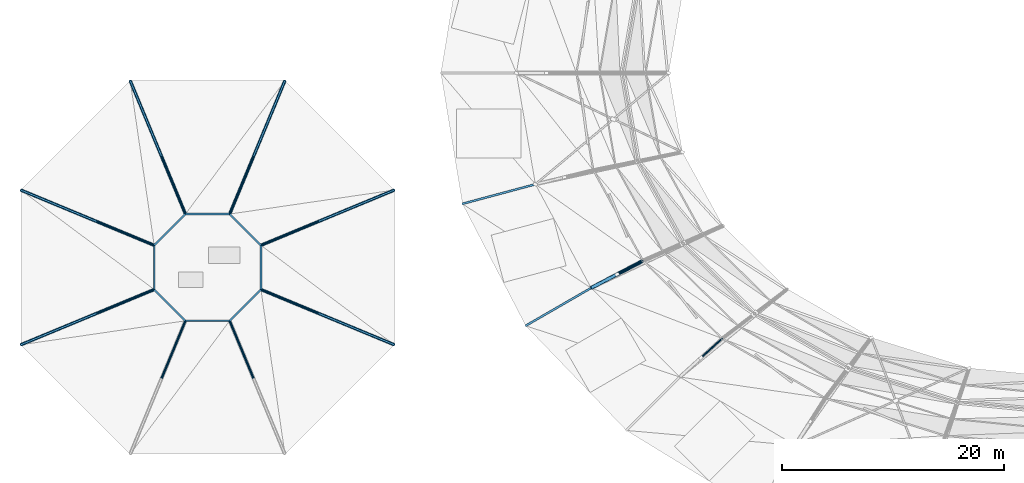
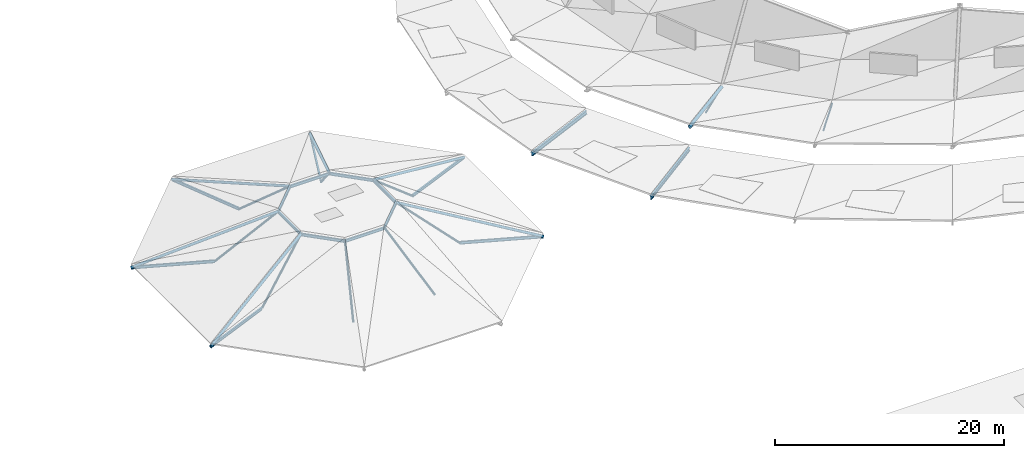
# One storey, part 5 of 36: 17 members, 16 beams.
"""IFC4 building model written with IfcOpenShell, lengths in metres."""

from ifc_helpers import new_model, si_unit, direction, frame, origin, origin_2d, place, context, subcontext, project, spatial, hollow_circle, i_section, extrude, material, material_profile, profile_set, type_object, element, save


model = new_model("IFC4")

# Units and contexts
model_context = context("Model", 3, precision=1e-05, world=origin(), true_north=direction((0.0, 1.0)))
body_context = subcontext(model_context, "Body", "Model", "MODEL_VIEW")
ifc_project = project(units=[si_unit("LENGTHUNIT", "METRE"), si_unit("AREAUNIT", "SQUARE_METRE"), si_unit("VOLUMEUNIT", "CUBIC_METRE"), si_unit("PLANEANGLEUNIT", "RADIAN"), si_unit("MASSUNIT", "GRAM", prefix="KILO")], contexts=[model_context])

# Site, building, storey
site_placement = place(None, origin())
site = spatial("IfcSite", under=ifc_project, at=site_placement, CompositionType="ELEMENT")
building_placement = place(site_placement, origin())
building = spatial("IfcBuilding", under=site, at=building_placement, Name="Kildeholm Park Wholesale Market", CompositionType="ELEMENT")
storey_placement = place(building_placement, frame((0.0, 0.0, 17.39990234375)))
storey = spatial("IfcBuildingStorey", under=building, at=storey_placement, Name="Roof", CompositionType="ELEMENT", Elevation=17.39990234375)

# Beams
ifc_material = material(Name="Steel S355", Category="steel")
ifc_material_profile_1 = material_profile(ifc_material, i_section(OverallWidth=0.14990234375, OverallDepth=0.300048828125, WebThickness=0.007080078125, FlangeThickness=0.0107421875, FilletRadius=0.014892578125, at=origin_2d()), Name="IPE 300")
ifc_profile_set_1 = profile_set([ifc_material_profile_1], Name="Steel S355")
beam_type_1 = type_object("IfcBeamType", Name="Beam B-C01 IPE 300", PredefinedType="BEAM", material=ifc_profile_set_1)
beam_1_placement = place(storey_placement, frame((25.803955078125, 73.989990234375, -2.19091796875), z_axis=(-0.707106781187, 0.707106781187, 0.0), x_axis=(-0.707106781187, -0.707106781187, 0.0)))
element("IfcBeam", 1, at=beam_1_placement, inside=storey, type_object=beam_type_1, Name="Beam BM-V3-LAN-00 BM-0481", PredefinedType="BEAM", context=body_context, shape_type="SweptSolid", body=[
    extrude(i_section(OverallWidth=0.14990234375, OverallDepth=0.300048828125, WebThickness=0.007080078125, FlangeThickness=0.0107421875, FilletRadius=0.014892578125, at=origin_2d()), origin(), (0.0, 0.0, 1.0), 3.9794921875),
])
beam_2_placement = place(storey_placement, frame((37.81494140625, 78.965087890625, -6.9599609375), z_axis=(-0.923875293758, -0.382693665462, 0.0), x_axis=(0.382693665462, -0.923875293758, 0.0)))
element("IfcBeam", 2, at=beam_2_placement, inside=storey, type_object=beam_type_1, Name="Beam BM-V3-TIE-00 BM-0482", PredefinedType="BEAM", context=body_context, shape_type="SweptSolid", body=[
    extrude(i_section(OverallWidth=0.14990234375, OverallDepth=0.300048828125, WebThickness=0.007080078125, FlangeThickness=0.0107421875, FilletRadius=0.014892578125, at=origin_2d()), origin(), (0.0, 0.0, 1.0), 7.400146484375),
])
beam_3_placement = place(storey_placement, frame((22.989990234375, 76.803955078125, -2.19091796875), z_axis=(-1.0, 0.0, 0.0), x_axis=(0.0, -1.0, 0.0)))
element("IfcBeam", 3, at=beam_3_placement, inside=storey, type_object=beam_type_1, Name="Beam BM-V3-LAN-01 BM-0485", PredefinedType="BEAM", context=body_context, shape_type="SweptSolid", body=[
    extrude(i_section(OverallWidth=0.14990234375, OverallDepth=0.300048828125, WebThickness=0.007080078125, FlangeThickness=0.0107421875, FilletRadius=0.014892578125, at=origin_2d()), origin(), (0.0, 0.0, 1.0), 3.97998046875),
])
beam_4_placement = place(storey_placement, frame((27.965087890625, 88.81494140625, -6.9599609375), z_axis=(-0.382693665462, -0.923875293758, 0.0), x_axis=(0.923875293758, -0.382693665462, 0.0)))
element("IfcBeam", 4, at=beam_4_placement, inside=storey, type_object=beam_type_1, Name="Beam BM-V3-TIE-01 BM-0486", PredefinedType="BEAM", context=body_context, shape_type="SweptSolid", body=[
    extrude(i_section(OverallWidth=0.14990234375, OverallDepth=0.300048828125, WebThickness=0.007080078125, FlangeThickness=0.0107421875, FilletRadius=0.014892578125, at=origin_2d()), origin(), (0.0, 0.0, 1.0), 7.400146484375),
])
beam_5_placement = place(storey_placement, frame((19.010009765625, 76.803955078125, -2.19091796875), z_axis=(-0.707106781187, -0.707106781187, 0.0), x_axis=(0.707106781187, -0.707106781187, 0.0)))
element("IfcBeam", 5, at=beam_5_placement, inside=storey, type_object=beam_type_1, Name="Beam BM-V3-LAN-02 BM-0491", PredefinedType="BEAM", context=body_context, shape_type="SweptSolid", body=[
    extrude(i_section(OverallWidth=0.14990234375, OverallDepth=0.300048828125, WebThickness=0.007080078125, FlangeThickness=0.0107421875, FilletRadius=0.014892578125, at=origin_2d()), origin(), (0.0, 0.0, 1.0), 3.9794921875),
])
beam_6_placement = place(storey_placement, frame((14.034912109375, 88.81494140625, -6.9599609375), z_axis=(0.382693665462, -0.923875293758, 0.0), x_axis=(0.923875293758, 0.382693665462, 0.0)))
element("IfcBeam", 6, at=beam_6_placement, inside=storey, type_object=beam_type_1, Name="Beam BM-V3-TIE-02 BM-0492", PredefinedType="BEAM", context=body_context, shape_type="SweptSolid", body=[
    extrude(i_section(OverallWidth=0.14990234375, OverallDepth=0.300048828125, WebThickness=0.007080078125, FlangeThickness=0.0107421875, FilletRadius=0.014892578125, at=origin_2d()), origin(), (0.0, 0.0, 1.0), 7.400146484375),
])
beam_7_placement = place(storey_placement, frame((16.196044921875, 73.989990234375, -2.19091796875), z_axis=(0.0, -1.0, 0.0), x_axis=(1.0, 0.0, 0.0)))
element("IfcBeam", 7, at=beam_7_placement, inside=storey, type_object=beam_type_1, Name="Beam BM-V3-LAN-03 BM-0497", PredefinedType="BEAM", context=body_context, shape_type="SweptSolid", body=[
    extrude(i_section(OverallWidth=0.14990234375, OverallDepth=0.300048828125, WebThickness=0.007080078125, FlangeThickness=0.0107421875, FilletRadius=0.014892578125, at=origin_2d()), origin(), (0.0, 0.0, 1.0), 3.97998046875),
])
beam_8_placement = place(storey_placement, frame((4.18505859375, 78.965087890625, -6.9599609375), z_axis=(0.923875293758, -0.382693665462, 0.0), x_axis=(0.382693665462, 0.923875293758, 0.0)))
element("IfcBeam", 8, at=beam_8_placement, inside=storey, type_object=beam_type_1, Name="Beam BM-V3-TIE-03 BM-0498", PredefinedType="BEAM", context=body_context, shape_type="SweptSolid", body=[
    extrude(i_section(OverallWidth=0.14990234375, OverallDepth=0.300048828125, WebThickness=0.007080078125, FlangeThickness=0.0107421875, FilletRadius=0.014892578125, at=origin_2d()), origin(), (0.0, 0.0, 1.0), 7.400146484375),
])
beam_9_placement = place(storey_placement, frame((16.196044921875, 70.010009765625, -2.19091796875), z_axis=(0.707106781187, -0.707106781187, 0.0), x_axis=(0.707106781187, 0.707106781187, 0.0)))
element("IfcBeam", 9, at=beam_9_placement, inside=storey, type_object=beam_type_1, Name="Beam BM-V3-LAN-04 BM-0503", PredefinedType="BEAM", context=body_context, shape_type="SweptSolid", body=[
    extrude(i_section(OverallWidth=0.14990234375, OverallDepth=0.300048828125, WebThickness=0.007080078125, FlangeThickness=0.0107421875, FilletRadius=0.014892578125, at=origin_2d()), origin(), (0.0, 0.0, 1.0), 3.9794921875),
])
beam_10_placement = place(storey_placement, frame((4.18505859375, 65.034912109375, -6.9599609375), z_axis=(0.923875293758, 0.382693665462, 0.0), x_axis=(-0.382693665462, 0.923875293758, 0.0)))
element("IfcBeam", 10, at=beam_10_placement, inside=storey, type_object=beam_type_1, Name="Beam BM-V3-TIE-04 BM-0504", PredefinedType="BEAM", context=body_context, shape_type="SweptSolid", body=[
    extrude(i_section(OverallWidth=0.14990234375, OverallDepth=0.300048828125, WebThickness=0.007080078125, FlangeThickness=0.0107421875, FilletRadius=0.014892578125, at=origin_2d()), origin(), (0.0, 0.0, 1.0), 7.400146484375),
])
beam_11_placement = place(storey_placement, frame((19.010009765625, 67.196044921875, -2.19091796875), z_axis=(1.0, 0.0, 0.0), x_axis=(0.0, 1.0, 0.0)))
element("IfcBeam", 11, at=beam_11_placement, inside=storey, type_object=beam_type_1, Name="Beam BM-V3-LAN-05 BM-0508", PredefinedType="BEAM", context=body_context, shape_type="SweptSolid", body=[
    extrude(i_section(OverallWidth=0.14990234375, OverallDepth=0.300048828125, WebThickness=0.007080078125, FlangeThickness=0.0107421875, FilletRadius=0.014892578125, at=origin_2d()), origin(), (0.0, 0.0, 1.0), 3.97998046875),
])
beam_12_placement = place(storey_placement, frame((22.989990234375, 67.196044921875, -2.19091796875), z_axis=(0.707106781187, 0.707106781187, 0.0), x_axis=(-0.707106781187, 0.707106781187, 0.0)))
element("IfcBeam", 12, at=beam_12_placement, inside=storey, type_object=beam_type_1, Name="Beam BM-V3-LAN-06 BM-0512", PredefinedType="BEAM", context=body_context, shape_type="SweptSolid", body=[
    extrude(i_section(OverallWidth=0.14990234375, OverallDepth=0.300048828125, WebThickness=0.007080078125, FlangeThickness=0.0107421875, FilletRadius=0.014892578125, at=origin_2d()), origin(), (0.0, 0.0, 1.0), 3.9794921875),
])
beam_13_placement = place(storey_placement, frame((25.803955078125, 70.010009765625, -2.19091796875), z_axis=(0.0, 1.0, 0.0), x_axis=(-1.0, 0.0, 0.0)))
element("IfcBeam", 13, at=beam_13_placement, inside=storey, type_object=beam_type_1, Name="Beam BM-V3-LAN-07 BM-0518", PredefinedType="BEAM", context=body_context, shape_type="SweptSolid", body=[
    extrude(i_section(OverallWidth=0.14990234375, OverallDepth=0.300048828125, WebThickness=0.007080078125, FlangeThickness=0.0107421875, FilletRadius=0.014892578125, at=origin_2d()), origin(), (0.0, 0.0, 1.0), 3.97998046875),
])
beam_14_placement = place(storey_placement, frame((37.81494140625, 65.034912109375, -6.9599609375), z_axis=(-0.923875293758, 0.382693665462, 0.0), x_axis=(-0.382693665462, -0.923875293758, 0.0)))
element("IfcBeam", 14, at=beam_14_placement, inside=storey, type_object=beam_type_1, Name="Beam BM-V3-TIE-07 BM-0519", PredefinedType="BEAM", context=body_context, shape_type="SweptSolid", body=[
    extrude(i_section(OverallWidth=0.14990234375, OverallDepth=0.300048828125, WebThickness=0.007080078125, FlangeThickness=0.0107421875, FilletRadius=0.014892578125, at=origin_2d()), origin(), (0.0, 0.0, 1.0), 7.400146484375),
])
ifc_material_profile_2 = material_profile(ifc_material, i_section(OverallWidth=0.179931640625, OverallDepth=0.39990234375, WebThickness=0.008544921875, FlangeThickness=0.013427734375, FilletRadius=0.02099609375, at=origin_2d()), Name="IPE 400")
ifc_profile_set_2 = profile_set([ifc_material_profile_2], Name="Steel S355")
beam_type_2 = type_object("IfcBeamType", Name="Beam B-P01 IPE 400", PredefinedType="BEAM", material=ifc_profile_set_2)
beam_15_placement = place(storey_placement, frame((43.94189453125, 77.72412109375, -8.025634765625), z_axis=(0.952422278961, 0.255140290138, 0.166719029766), x_axis=(-0.258761805275, 0.965941161837, 0.0)))
element("IfcBeam", 15, at=beam_15_placement, inside=storey, type_object=beam_type_2, Name="Beam BM-V1-RF-S1-13 BM-0297", PredefinedType="BEAM", context=body_context, shape_type="SweptSolid", body=[
    extrude(i_section(OverallWidth=0.179931640625, OverallDepth=0.39990234375, WebThickness=0.008544921875, FlangeThickness=0.013427734375, FilletRadius=0.02099609375, at=origin_2d()), origin(), (0.0, 0.0, 1.0), 6.897216796875),
])
beam_16_placement = place(storey_placement, frame((49.636962890625, 66.75, -8.026123046875), z_axis=(0.853906130286, 0.492993523087, 0.166738438442), x_axis=(-0.499992841449, 0.866029536736, 0.0)))
element("IfcBeam", 16, at=beam_16_placement, inside=storey, type_object=beam_type_2, Name="Beam BM-V1-RF-S1-14 BM-0303", PredefinedType="BEAM", context=body_context, shape_type="SweptSolid", body=[
    extrude(i_section(OverallWidth=0.179931640625, OverallDepth=0.39990234375, WebThickness=0.008544921875, FlangeThickness=0.013427734375, FilletRadius=0.02099609375, at=origin_2d()), origin(), (0.0, 0.0, 1.0), 6.896484375),
])

# Members
ifc_material_profile_3 = material_profile(ifc_material, hollow_circle(Radius=0.084228515625, WallThickness=0.010009765625, at=origin_2d()), Name="CHS 168.3x10")
ifc_profile_set_3 = profile_set([ifc_material_profile_3], Name="Steel S355")
member_type_1 = type_object("IfcMemberType", Name="Member TB-01 CHS 168.3x10", PredefinedType="BRACE", material=ifc_profile_set_3)
member_1_placement = place(storey_placement, frame((57.864013671875, 71.375, -4.6298828125), z_axis=(0.801693118644, 0.420101928713, 0.425208787551), x_axis=(-0.464152153462, 0.885755484565, 0.0)))
element("IfcMember", 17, at=member_1_placement, inside=storey, type_object=member_type_1, Name="Member TR-V1-14-WB1 MEM-0186", PredefinedType="BRACE", context=body_context, shape_type="SweptSolid", body=[
    extrude(hollow_circle(Radius=0.084228515625, WallThickness=0.010009765625, at=origin_2d()), origin(), (0.0, 0.0, 1.0), 2.916259765625),
])
member_2_placement = place(storey_placement, frame((65.412109375, 63.866943359375, -4.6298828125), z_axis=(0.66741137091, 0.605644039638, 0.43330977283), x_axis=(-0.672008172924, 0.74054372965, 0.0)))
element("IfcMember", 18, at=member_2_placement, inside=storey, type_object=member_type_1, Name="Member TR-V1-15-WB1 MEM-0198", PredefinedType="BRACE", context=body_context, shape_type="SweptSolid", body=[
    extrude(hollow_circle(Radius=0.084228515625, WallThickness=0.010009765625, at=origin_2d()), origin(), (0.0, 0.0, 1.0), 2.861572265625),
])
ifc_material_profile_4 = material_profile(ifc_material, hollow_circle(Radius=0.109619140625, WallThickness=0.012451171875, at=origin_2d()), Name="CHS 219.1x12.5")
ifc_profile_set_4 = profile_set([ifc_material_profile_4], Name="Steel S355")
member_type_2 = type_object("IfcMemberType", Name="Member TB-02 CHS 219.1x12.5", PredefinedType="BRACE", material=ifc_profile_set_4)
for number, where, z_axis, x_axis, name in (
    (19, (30.97802734375, 76.133056640625, -6.9599609375), (-0.700243087664, -0.290036041312, 0.65233328362), (0.382667505519, -0.923886129466, 0.0), "Member TR-V3-STR-00 MEM-0333"),
    (20, (25.133056640625, 81.97802734375, -6.9599609375), (-0.290036041312, -0.700243087664, 0.65233328362), (0.923886129466, -0.382667505519, 0.0), "Member TR-V3-STR-01 MEM-0335"),
    (21, (16.866943359375, 81.97802734375, -6.9599609375), (0.290036041312, -0.700243087664, 0.65233328362), (0.923886129466, 0.382667505519, 0.0), "Member TR-V3-STR-02 MEM-0337"),
    (22, (11.02197265625, 76.133056640625, -6.9599609375), (0.700243087664, -0.290036041312, 0.65233328362), (0.382667505519, 0.923886129466, 0.0), "Member TR-V3-STR-03 MEM-0339"),
    (23, (11.02197265625, 67.866943359375, -6.9599609375), (0.700243087664, 0.290036041312, 0.65233328362), (-0.382667505519, 0.923886129466, 0.0), "Member TR-V3-STR-04 MEM-0341"),
    (24, (16.866943359375, 62.02197265625, -6.9599609375), (0.290036041312, 0.700243087664, 0.65233328362), (-0.923886129466, 0.382667505519, 0.0), "Member TR-V3-STR-05 MEM-0343"),
    (25, (25.133056640625, 62.02197265625, -6.9599609375), (-0.290036041312, 0.700243087664, 0.65233328362), (-0.923886129466, -0.382667505519, 0.0), "Member TR-V3-STR-06 MEM-0345"),
    (26, (30.97802734375, 67.866943359375, -6.9599609375), (-0.700243087664, 0.290036041312, 0.65233328362), (-0.382667505519, -0.923886129466, 0.0), "Member TR-V3-STR-07 MEM-0347"),
):
    element("IfcMember", number, at=place(storey_placement, frame(where, z_axis=z_axis, x_axis=x_axis)), inside=storey, type_object=member_type_2, Name=name, PredefinedType="BRACE", context=body_context, shape_type="SweptSolid", body=[
        extrude(hollow_circle(Radius=0.109619140625, WallThickness=0.012451171875, at=origin_2d()), origin(), (0.0, 0.0, 1.0), 7.388916015625),
    ])
ifc_material_profile_5 = material_profile(ifc_material, hollow_circle(Radius=0.161865234375, WallThickness=0.01611328125, at=origin_2d()), Name="CHS 323.9x16")
ifc_profile_set_5 = profile_set([ifc_material_profile_5], Name="Steel S355")
member_type_3 = type_object("IfcMemberType", Name="Member TC-01 CHS 323.9x16", PredefinedType="CHORD", material=ifc_profile_set_5)
member_3_placement = place(storey_placement, frame((55.52587890625, 70.14990234375, -4.579833984375), z_axis=(0.864086026653, 0.4527733182, 0.219890110892), x_axis=(-0.464133140114, 0.885765447649, 0.0)))
element("IfcMember", 27, at=member_3_placement, inside=storey, type_object=member_type_3, Name="Member TR-V1-14-TC1 MEM-0181", PredefinedType="CHORD", context=body_context, shape_type="SweptSolid", body=[
    extrude(hollow_circle(Radius=0.161865234375, WallThickness=0.01611328125, at=origin_2d()), origin(), (0.0, 0.0, 1.0), 5.41162109375),
])
ifc_material_profile_6 = material_profile(ifc_material, hollow_circle(Radius=0.136474609375, WallThickness=0.01611328125, at=origin_2d()), Name="CHS 273x16")
ifc_profile_set_6 = profile_set([ifc_material_profile_6], Name="Steel S355")
member_type_4 = type_object("IfcMemberType", Name="Member TC-02 CHS 273x16", PredefinedType="CHORD", material=ifc_profile_set_6)
for number, where, z_axis, x_axis, name in (
    (28, (37.81494140625, 78.965087890625, -6.9599609375), (-0.86625798543, -0.358814668112, 0.347633624131), (0.382682396439, -0.923879961605, 0.0), "Member TR-V3-HIP-00 MEM-0332"),
    (29, (27.965087890625, 88.81494140625, -6.9599609375), (-0.358814668112, -0.86625798543, 0.347633624131), (0.923879961605, -0.382682396439, 0.0), "Member TR-V3-HIP-01 MEM-0334"),
    (30, (14.034912109375, 88.81494140625, -6.9599609375), (0.358814668112, -0.86625798543, 0.347633624131), (0.923879961605, 0.382682396439, 0.0), "Member TR-V3-HIP-02 MEM-0336"),
    (31, (4.18505859375, 78.965087890625, -6.9599609375), (0.86625798543, -0.358814668112, 0.347633624131), (0.382682396439, 0.923879961605, 0.0), "Member TR-V3-HIP-03 MEM-0338"),
    (32, (4.18505859375, 65.034912109375, -6.9599609375), (0.86625798543, 0.358814668112, 0.347633624131), (-0.382682396439, 0.923879961605, 0.0), "Member TR-V3-HIP-04 MEM-0340"),
    (33, (37.81494140625, 65.034912109375, -6.9599609375), (-0.86625798543, 0.358814668112, 0.347633624131), (-0.382682396439, -0.923879961605, 0.0), "Member TR-V3-HIP-07 MEM-0346"),
):
    element("IfcMember", number, at=place(storey_placement, frame(where, z_axis=z_axis, x_axis=x_axis)), inside=storey, type_object=member_type_4, Name=name, PredefinedType="CHORD", context=body_context, shape_type="SweptSolid", body=[
        extrude(hollow_circle(Radius=0.136474609375, WallThickness=0.01611328125, at=origin_2d()), origin(), (0.0, 0.0, 1.0), 13.865478515625),
    ])

save(model, "model.ifc")
